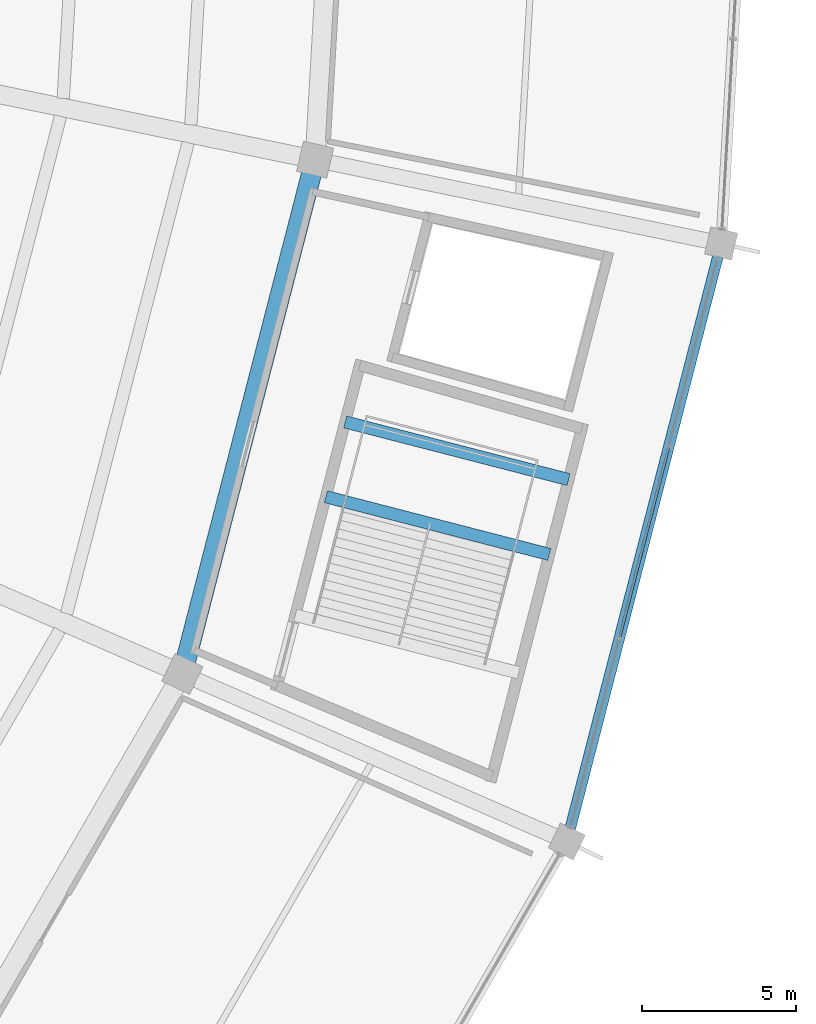
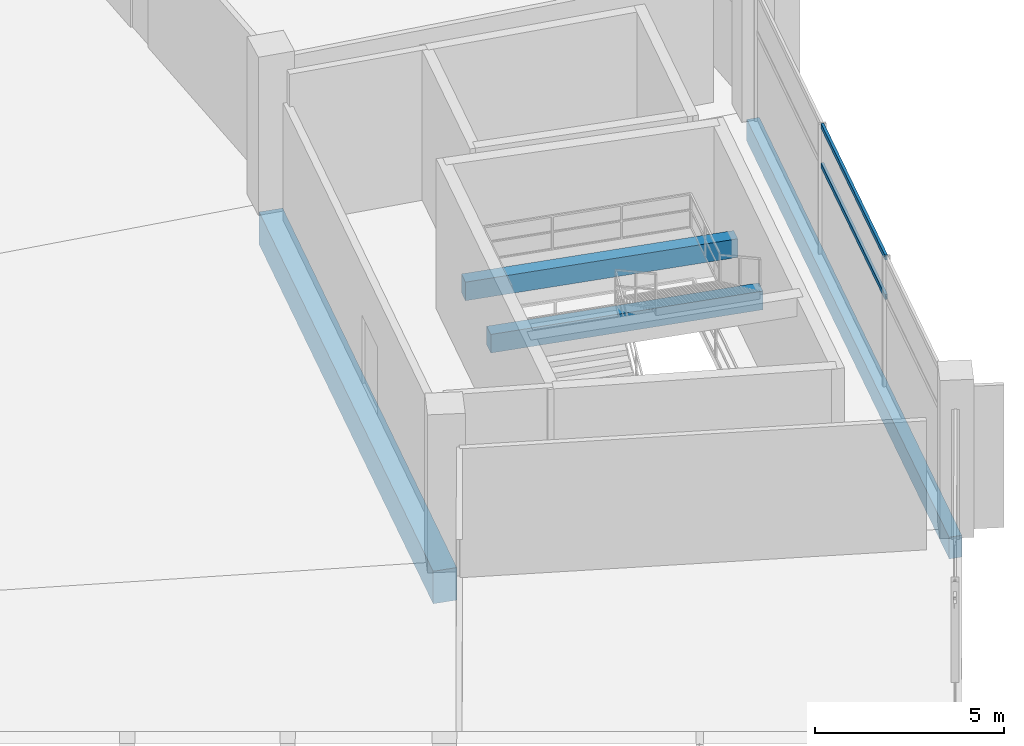
# One storey, part 77 of 184: 4 beams, 2 members, 1 element without a shape of its own.
"""IFC4 building model written with IfcOpenShell, lengths in metres."""

from ifc_helpers import new_model, si_unit, direction, frame, origin, origin_2d, place, context, subcontext, project, spatial, rectangle, hollow_rectangle, extrude, material, layer, layer_set, material_profile, profile_set, type_object, element, aggregate, save


model = new_model("IFC4")

# Units and contexts
model_context = context("Model", 3, precision=1e-05, world=origin(), true_north=direction((0.0, 1.0)))
body_context = subcontext(model_context, "Body", "Model", "MODEL_VIEW")
ifc_project = project(units=[si_unit("LENGTHUNIT", "METRE"), si_unit("AREAUNIT", "SQUARE_METRE"), si_unit("VOLUMEUNIT", "CUBIC_METRE"), si_unit("PLANEANGLEUNIT", "RADIAN"), si_unit("MASSUNIT", "GRAM", prefix="KILO")], contexts=[model_context])

# Site, building, storey
site_placement = place(None, origin())
site = spatial("IfcSite", under=ifc_project, at=site_placement, CompositionType="ELEMENT")
building_placement = place(site_placement, origin())
building = spatial("IfcBuilding", under=site, at=building_placement, Name="Kazemori Nagisa Stadium", CompositionType="ELEMENT")
storey_placement = place(building_placement, frame((0.0, 0.0, 10.5400390625)))
storey = spatial("IfcBuildingStorey", under=building, at=storey_placement, Name="L02", CompositionType="ELEMENT", Elevation=10.5400390625)

# Beams
ifc_material_1 = material(Name="Concrete C40/50 (Fc42)", Category="concrete")
ifc_material_profile_1 = material_profile(ifc_material_1, rectangle(XDim=0.39990234375, YDim=0.60009765625, at=origin_2d()), Name="RC-BM-400x600")
ifc_profile_set_1 = profile_set([ifc_material_profile_1], Name="Concrete C40/50 (Fc42)")
beam_type_1 = type_object("IfcBeamType", Name="Beam_BG-LND400X600", PredefinedType="BEAM", material=ifc_profile_set_1)
for number, where, z_axis, x_axis, name in (
    (1, (204.085693359375, 74.408935546875, 2.050048828125), (0.968250528141, -0.249981828849, 0.0), (0.249981828849, 0.968250528141, 0.0), "Core stair mid-landing girder ST10-L02-1"),
    (2, (204.710693359375, 76.82958984375, 2.050048828125), (0.968258440217, -0.24995118113, 0.0), (0.24995118113, 0.968258440217, 0.0), "Core stair mid-landing girder ST10-L02-2"),
):
    element("IfcBeam", number, at=place(storey_placement, frame(where, z_axis=z_axis, x_axis=x_axis)), inside=storey, type_object=beam_type_1, Name=name, PredefinedType="BEAM", context=body_context, shape_type="SweptSolid", body=[
        extrude(rectangle(XDim=0.39990234375, YDim=0.60009765625, at=origin_2d()), origin(), (0.0, 0.0, 1.0), 7.46826171875),
    ])
ifc_material_profile_2 = material_profile(ifc_material_1, rectangle(XDim=0.64990234375, YDim=1.050048828125, at=origin_2d()), Name="RC-BM-650x1050")
ifc_profile_set_2 = profile_set([ifc_material_profile_2], Name="Concrete C40/50 (Fc42)")
beam_type_2 = type_object("IfcBeamType", Name="Beam_BG-RC650X1050", PredefinedType="BEAM", material=ifc_profile_set_2)
beam_1_placement = place(storey_placement, frame((199.44091796875, 68.67529296875, -0.78515625), z_axis=(0.249974673676, 0.968252375427, 0.0), x_axis=(-0.968252375427, 0.249974673676, 0.0)))
element("IfcBeam", 3, at=beam_1_placement, inside=storey, type_object=beam_type_2, Name="Ring girder BG-RC650X1050 L02 R2-27", PredefinedType="BEAM", context=body_context, shape_type="SweptSolid", body=[
    extrude(rectangle(XDim=0.64990234375, YDim=1.050048828125, at=origin_2d()), origin(), (0.0, 0.0, 1.0), 17.188232421875),
])
ifc_material_profile_3 = material_profile(ifc_material_1, rectangle(XDim=0.35009765625, YDim=0.699951171875, at=origin_2d()), Name="RC-SP-350x700")
ifc_profile_set_3 = profile_set([ifc_material_profile_3], Name="Concrete C40/50 (Fc42)")
beam_type_3 = type_object("IfcBeamType", Name="Beam_BS-RC350X700", PredefinedType="SPANDREL", material=ifc_profile_set_3)
beam_2_placement = place(storey_placement, frame((211.885009765625, 63.25048828125, -0.610107421875), z_axis=(0.249964097999, 0.968255105699, 0.0), x_axis=(-0.968255105699, 0.249964097999, 0.0)))
element("IfcBeam", 4, at=beam_2_placement, inside=storey, type_object=beam_type_3, Name="Ring girder BS-RC350X700 L02 R3-27", PredefinedType="SPANDREL", context=body_context, shape_type="SweptSolid", body=[
    extrude(rectangle(XDim=0.35009765625, YDim=0.699951171875, at=origin_2d()), origin(), (0.0, 0.0, 1.0), 19.986328125),
])

# Curtain wall, members
ifc_material_2 = material(Name="Anodised aluminium 6063-T5", Category="aluminium")
ifc_layer = layer(ifc_material_2, 0.2099609375, Name="Anodised aluminium 6063-T5", Category="aluminium")
ifc_layer_set = layer_set([ifc_layer], Name="Anodised aluminium 6063-T5")
curtain_wall_type = type_object("IfcCurtainWallType", Name="CW_L02R3_96", PredefinedType="USERDEFINED", material=ifc_layer_set)
curtain_wall_placement = place(storey_placement, origin())
curtain_wall = element("IfcCurtainWall", 5, at=curtain_wall_placement, inside=storey, type_object=curtain_wall_type, Name="Unitised curtain wall CW-L02R3-96 L02", ObjectType="UNITISED CURTAIN WALL", PredefinedType="USERDEFINED")
ifc_material_3 = material(Name="Aluminium 6063-T5 anodised", Category="aluminium")
ifc_material_profile_4 = material_profile(ifc_material_3, hollow_rectangle(XDim=0.080078125, YDim=0.159912109375, WallThickness=0.00390625, at=origin_2d()), Name="ALU-TRAN-80x160x4")
ifc_profile_set_4 = profile_set([ifc_material_profile_4], Name="Aluminium 6063-T5 anodised")
member_type = type_object("IfcMemberType", Name="Transom_T02", PredefinedType="USERDEFINED", material=ifc_profile_set_4)
member_1_placement = place(storey_placement, frame((213.5947265625, 69.873779296875, 2.84912109375), z_axis=(0.249971699633, 0.968253143234, 0.0), x_axis=(-0.968253143234, 0.249971699633, 0.0)))
member_1 = element("IfcMember", 6, at=member_1_placement, type_object=member_type, Name="Curtain wall transom CW-L02R3-96-T2-mid", ObjectType="TRANSOM", PredefinedType="USERDEFINED", context=body_context, shape_type="SweptSolid", body=[
    extrude(hollow_rectangle(XDim=0.080078125, YDim=0.159912109375, WallThickness=0.00390625, at=origin_2d()), origin(), (0.0, 0.0, 1.0), 6.305419921875),
])
member_2_placement = place(storey_placement, frame((213.5947265625, 69.873779296875, 4.119873046875), z_axis=(0.249971699633, 0.968253143234, 0.0), x_axis=(-0.968253143234, 0.249971699633, 0.0)))
member_2 = element("IfcMember", 7, at=member_2_placement, type_object=member_type, Name="Curtain wall transom CW-L02R3-96-T2-head", ObjectType="TRANSOM", PredefinedType="USERDEFINED", context=body_context, shape_type="SweptSolid", body=[
    extrude(hollow_rectangle(XDim=0.080078125, YDim=0.159912109375, WallThickness=0.00390625, at=origin_2d()), origin(), (0.0, 0.0, 1.0), 6.305419921875),
])
aggregate(curtain_wall, [member_1, member_2])

save(model, "model.ifc")
